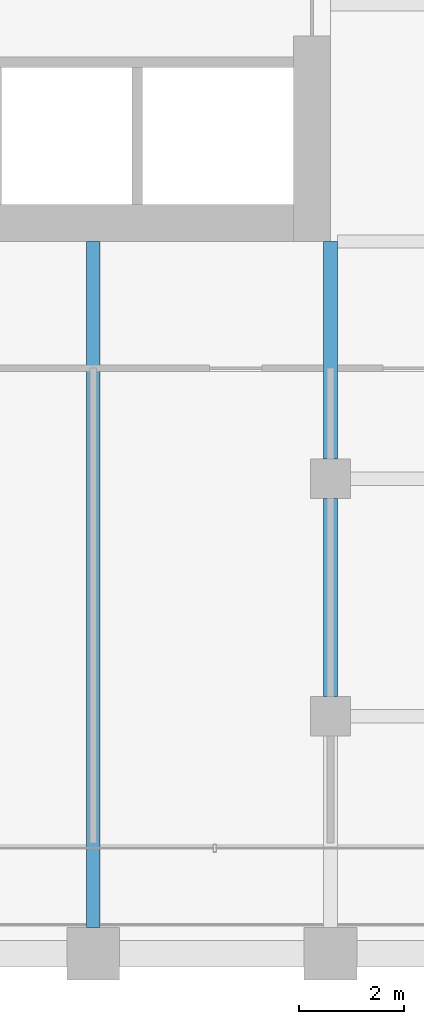
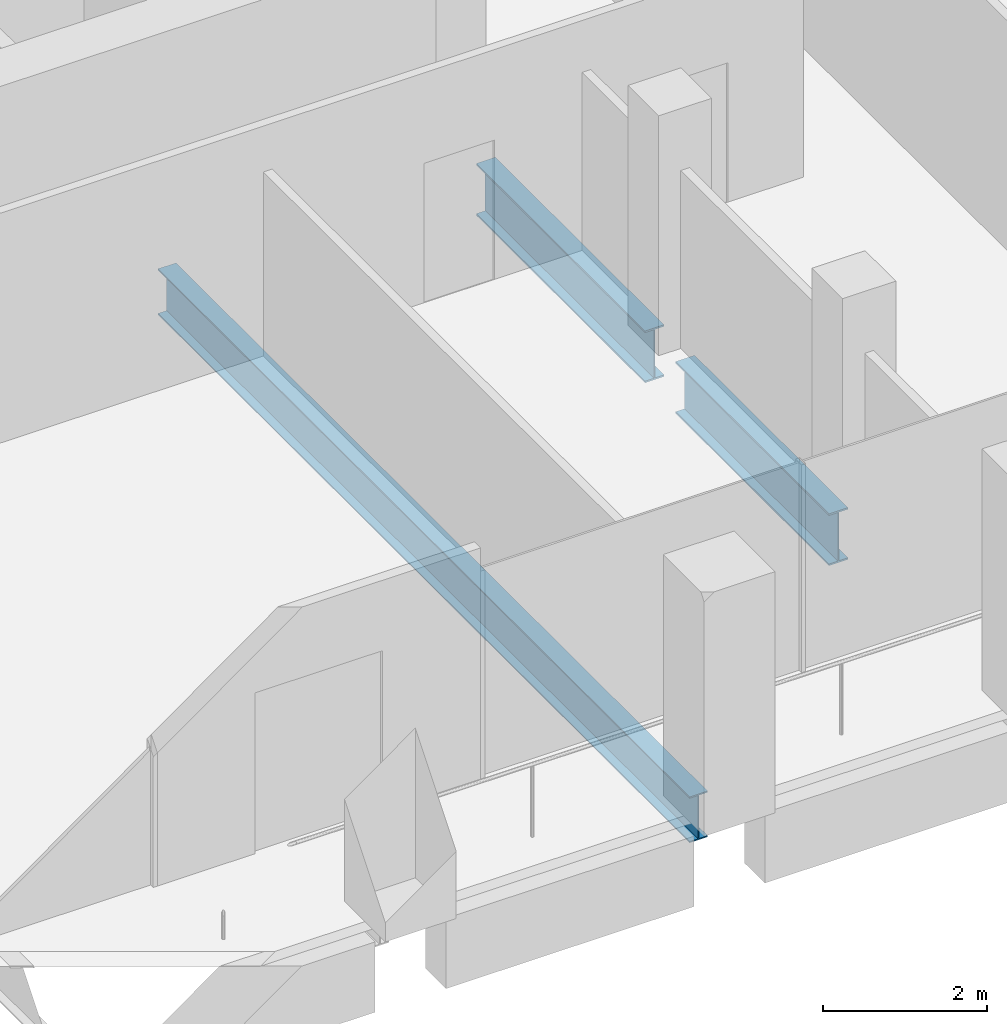
# One storey, part 10 of 46: 3 beams.
"""IFC4 building model written with IfcOpenShell, lengths in metres."""

from ifc_helpers import new_model, si_unit, direction, frame, origin, origin_2d, place, context, subcontext, project, spatial, i_section, extrude, material, material_profile, profile_set, type_object, element, save


model = new_model("IFC4")

# Units and contexts
model_context = context("Model", 3, precision=1e-05, world=origin(), true_north=direction((0.0, 1.0)))
body_context = subcontext(model_context, "Body", "Model", "MODEL_VIEW")
ifc_project = project(units=[si_unit("LENGTHUNIT", "METRE"), si_unit("AREAUNIT", "SQUARE_METRE"), si_unit("VOLUMEUNIT", "CUBIC_METRE"), si_unit("PLANEANGLEUNIT", "RADIAN"), si_unit("MASSUNIT", "GRAM", prefix="KILO")], contexts=[model_context])

# Site, building, storey
site_placement = place(None, origin())
site = spatial("IfcSite", under=ifc_project, at=site_placement, CompositionType="ELEMENT")
building_placement = place(site_placement, origin())
building = spatial("IfcBuilding", under=site, at=building_placement, Name="Altepetl Exchange Towers", CompositionType="ELEMENT")
storey_placement = place(building_placement, frame((0.0, 0.0, 128.0)))
storey = spatial("IfcBuildingStorey", under=building, at=storey_placement, Name="L31", CompositionType="ELEMENT", Elevation=128.0)

# Beams
ifc_material = material(Name="Steel S355", Category="steel")
ifc_material_profile_1 = material_profile(ifc_material, i_section(OverallWidth=0.25390625, OverallDepth=0.68408203125, WebThickness=0.012451171875, FlangeThickness=0.018798828125, at=origin_2d()), Name="W27X94")
ifc_profile_set_1 = profile_set([ifc_material_profile_1], Name="Steel S355")
beam_type_1 = type_object("IfcBeamType", Name="Floor beam W27X94", PredefinedType="BEAM", material=ifc_profile_set_1)
beam_1_placement = place(storey_placement, frame((54.0, 27.5, -0.491943359375), z_axis=(0.0, 1.0, 0.0), x_axis=(-1.0, 0.0, 0.0)))
element("IfcBeam", 1, at=beam_1_placement, inside=storey, type_object=beam_type_1, Name="bm:A:L31:017", PredefinedType="BEAM", context=body_context, shape_type="SweptSolid", body=[
    extrude(i_section(OverallWidth=0.25390625, OverallDepth=0.68408203125, WebThickness=0.012451171875, FlangeThickness=0.018798828125, at=origin_2d()), origin(), (0.0, 0.0, 1.0), 13.0),
])
ifc_material_profile_2 = material_profile(ifc_material, i_section(OverallWidth=0.26806640625, OverallDepth=0.77392578125, WebThickness=0.015380859375, FlangeThickness=0.025390625, at=origin_2d()), Name="W30X132")
ifc_profile_set_2 = profile_set([ifc_material_profile_2], Name="Steel S355")
beam_type_2 = type_object("IfcBeamType", Name="Girder W30X132", PredefinedType="BEAM", material=ifc_profile_set_2)
beam_2_placement = place(storey_placement, frame((58.5, 40.5, -0.537109375), z_axis=(0.0, -1.0, 0.0), x_axis=(1.0, 0.0, 0.0)))
element("IfcBeam", 2, at=beam_2_placement, inside=storey, type_object=beam_type_2, Name="gd:A:L31:003", PredefinedType="BEAM", context=body_context, shape_type="SweptSolid", body=[
    extrude(i_section(OverallWidth=0.26806640625, OverallDepth=0.77392578125, WebThickness=0.015380859375, FlangeThickness=0.025390625, at=origin_2d()), origin(), (0.0, 0.0, 1.0), 4.125),
])
beam_3_placement = place(storey_placement, frame((58.5, 35.625, -0.537109375), z_axis=(0.0, -1.0, 0.0), x_axis=(1.0, 0.0, 0.0)))
element("IfcBeam", 3, at=beam_3_placement, inside=storey, type_object=beam_type_2, Name="gd:A:L31:004", PredefinedType="BEAM", context=body_context, shape_type="SweptSolid", body=[
    extrude(i_section(OverallWidth=0.26806640625, OverallDepth=0.77392578125, WebThickness=0.015380859375, FlangeThickness=0.025390625, at=origin_2d()), origin(), (0.0, 0.0, 1.0), 3.75),
])

save(model, "model.ifc")
